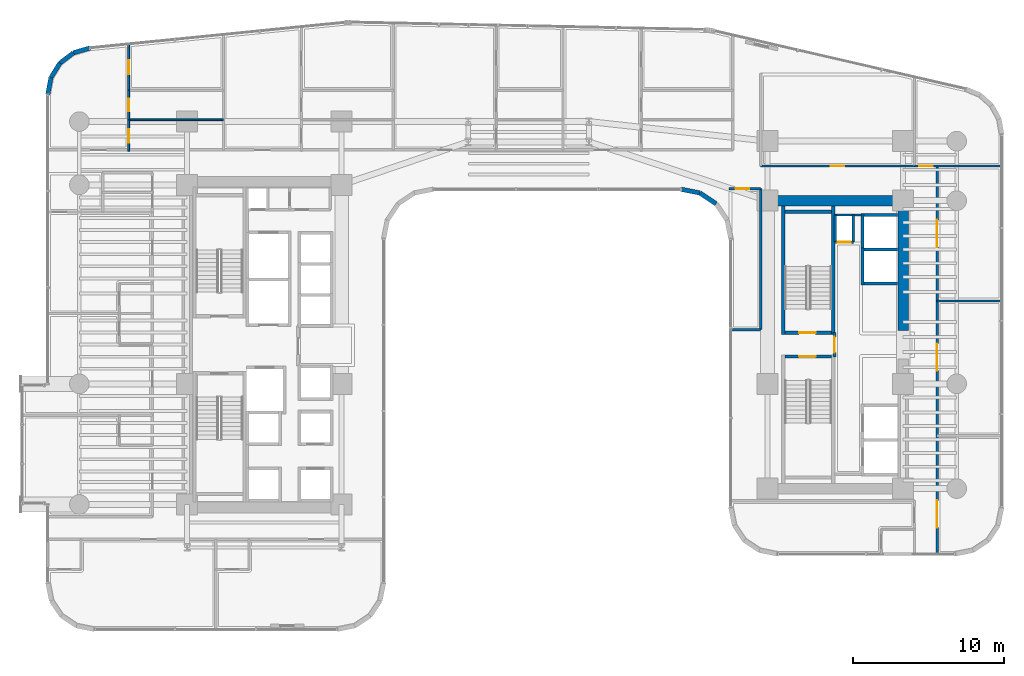
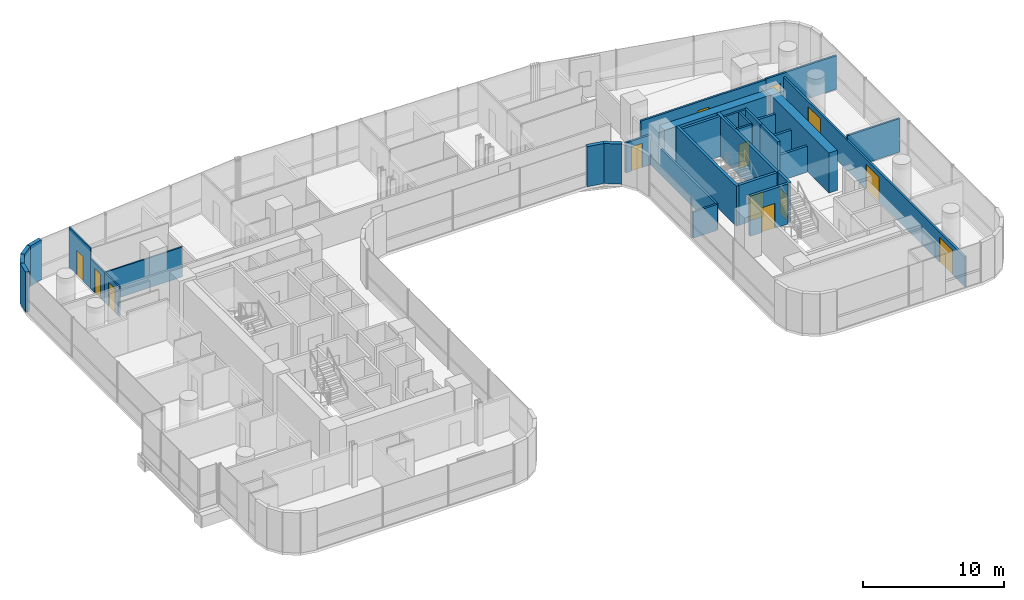
# One storey, part 33 of 41: 34 walls, 13 doors, 13 openings.
"""IFC4 building model written with IfcOpenShell, lengths in metres."""

from ifc_helpers import new_model, si_unit, direction, frame, frame_2d, origin, place, context, subcontext, project, spatial, rectangle, extrude, material, layer, layer_set, type_object, element, fill, save


model = new_model("IFC4")

# Units and contexts
model_context = context("Model", 3, precision=1e-05, world=origin(), true_north=direction((0.0, 1.0)))
body_context = subcontext(model_context, "Body", "Model", "MODEL_VIEW")
ifc_project = project(units=[si_unit("LENGTHUNIT", "METRE"), si_unit("AREAUNIT", "SQUARE_METRE"), si_unit("VOLUMEUNIT", "CUBIC_METRE"), si_unit("PLANEANGLEUNIT", "RADIAN"), si_unit("MASSUNIT", "GRAM", prefix="KILO")], contexts=[model_context])

# Site, building, storey
site_placement = place(None, origin())
site = spatial("IfcSite", under=ifc_project, at=site_placement, CompositionType="ELEMENT")
building_placement = place(site_placement, origin())
building = spatial("IfcBuilding", under=site, at=building_placement, Name="Valdorenza Pilgrim Sanctuary Tower", CompositionType="ELEMENT")
storey_placement = place(building_placement, frame((0.0, 0.0, 59.300048828125)))
storey = spatial("IfcBuildingStorey", under=building, at=storey_placement, Name="L14", CompositionType="ELEMENT", Elevation=59.300048828125)

# Wall, opening, door
ifc_material_1 = material(Name="Acoustic twin-stud gypsum partition", Category="gypsum")
ifc_layer_1 = layer(ifc_material_1, 0.159912109375, Name="Acoustic twin-stud gypsum partition")
ifc_layer_set_1 = layer_set([ifc_layer_1], Name="Acoustic twin-stud gypsum partition")
wall_type_1 = type_object("IfcWallType", Name="WAL-COR-160", PredefinedType="PARTITIONING", material=ifc_layer_set_1)
wall_1_placement = place(storey_placement, frame((20.35009765625, 6.800048828125, 0.0), z_axis=(0.0, 0.0, 1.0), x_axis=(1.0, 0.0, 0.0)))
wall_1 = element("IfcWall", 1, at=wall_1_placement, inside=storey, type_object=wall_type_1, Name="L14 Core B Riser South Wall", PredefinedType="PARTITIONING", context=body_context, shape_type="SweptSolid", body=[
    extrude(rectangle(XDim=1.199951171875, YDim=0.159912109375, at=frame_2d((0.60009765625, 0.0))), origin(), (0.0, 0.0, 1.0), 3.4599609375),
])
opening_1_placement = place(wall_1_placement, frame((0.175048828125, 0.0, 0.0)))
opening_1 = element("IfcOpeningElement", 2, at=opening_1_placement, cuts=wall_1, Name="Opening DR-RS1", PredefinedType="OPENING", context=body_context, shape_type="SweptSolid", body=[
    extrude(rectangle(XDim=0.85009765625, YDim=2.050048828125, at=frame_2d((0.425048828125, 1.02490234375))), frame((0.0, 0.0947265625, 0.0), z_axis=(0.0, -1.0, 0.0), x_axis=(1.0, 0.0, 0.0)), (0.0, 0.0, 1.0), 0.189697265625),
])
ifc_material_2 = material(Name="Painted galvanized steel", Category="steel")
door_type_1 = type_object("IfcDoorType", Name="DR-RSR-850", OperationType="NOTDEFINED", PredefinedType="DOOR", material=ifc_material_2)
door_1_placement = place(opening_1_placement, origin())
door_1 = element("IfcDoor", 3, at=door_1_placement, inside=storey, type_object=door_type_1, Name="L14 Core B Electrical Riser Door", OperationType="SINGLE_SWING_LEFT", OverallHeight=2.050048828125, OverallWidth=0.85009765625, PredefinedType="DOOR", context=body_context, shape_type="SweptSolid", body=[
    extrude(rectangle(XDim=0.85009765625, YDim=2.050048828125, at=frame_2d((0.425048828125, 1.02490234375))), frame((0.0, 0.02490234375, 0.0), z_axis=(0.0, -1.0, 0.0), x_axis=(1.0, 0.0, 0.0)), (0.0, 0.0, 1.0), 0.050048828125),
])
fill(opening_1, door_1)

# Walls
for number, where, z_axis, x_axis, name in (
    (4, (21.550048828125, 6.800048828125, 0.0), (0.0, 0.0, 1.0), (0.0, 1.0, 0.0), "L14 Core B Riser East Wall"),
    (5, (20.35009765625, 6.800048828125, 0.0), (0.0, 0.0, 1.0), (0.0, 1.0, 0.0), "L14 Core B Riser West Wall"),
):
    element("IfcWall", number, at=place(storey_placement, frame(where, z_axis=z_axis, x_axis=x_axis)), inside=storey, type_object=wall_type_1, Name=name, PredefinedType="PARTITIONING", context=body_context, shape_type="SweptSolid", body=[
        extrude(rectangle(XDim=1.800048828125, YDim=0.159912109375, at=frame_2d((0.89990234375, 0.0))), origin(), (0.0, 0.0, 1.0), 3.4599609375),
    ])
wall_2_placement = place(storey_placement, frame((20.300048828125, 8.60009765625, 0.0), z_axis=(0.0, 0.0, 1.0), x_axis=(1.0, 0.0, 0.0)))
element("IfcWall", 6, at=wall_2_placement, inside=storey, type_object=wall_type_1, Name="L14 Core B Lift Hall North End Wall", PredefinedType="PARTITIONING", context=body_context, shape_type="SweptSolid", body=[
    extrude(rectangle(XDim=1.820068359375, YDim=0.159912109375, at=frame_2d((0.91015625, 0.0))), origin(), (0.0, 0.0, 1.0), 3.4599609375),
])

# Wall, opening, door
wall_3_placement = place(storey_placement, frame((15.39990234375, 11.85009765625, 0.0), z_axis=(0.0, 0.0, 1.0), x_axis=(1.0, 0.0, 0.0)))
wall_3 = element("IfcWall", 7, at=wall_3_placement, inside=storey, type_object=wall_type_1, Name="L14 Wing B North Corridor Wall", PredefinedType="PARTITIONING", context=body_context, shape_type="SweptSolid", body=[
    extrude(rectangle(XDim=10.2001953125, YDim=0.159912109375, at=frame_2d((5.10009765625, 0.0))), origin(), (0.0, 0.0, 1.0), 2.833984375),
])
opening_2_placement = place(wall_3_placement, frame((4.64990234375, 0.0, 0.0)))
opening_2 = element("IfcOpeningElement", 8, at=opening_2_placement, cuts=wall_3, Name="Opening DR-RM1", PredefinedType="OPENING", context=body_context, shape_type="SweptSolid", body=[
    extrude(rectangle(XDim=0.89990234375, YDim=2.10009765625, at=frame_2d((0.449951171875, 1.050048828125))), frame((0.0, 0.0947265625, 0.0), z_axis=(0.0, -1.0, 0.0), x_axis=(1.0, 0.0, 0.0)), (0.0, 0.0, 1.0), 0.189697265625),
])
ifc_material_3 = material(Name="Solid-core European oak timber", Category="wood")
door_type_2 = type_object("IfcDoorType", Name="DR-ROOM-900", OperationType="NOTDEFINED", PredefinedType="DOOR", material=ifc_material_3)
door_2_placement = place(opening_2_placement, frame((0.89990234375, 0.0, 0.0), z_axis=(0.0, 0.0, 1.0), x_axis=(-1.0, 0.0, 0.0)))
door_2 = element("IfcDoor", 9, at=door_2_placement, inside=storey, type_object=door_type_2, Name="L14 Curator Research Office L14-BN1 Door", OperationType="SINGLE_SWING_LEFT", OverallHeight=2.10009765625, OverallWidth=0.89990234375, PredefinedType="DOOR", context=body_context, shape_type="SweptSolid", body=[
    extrude(rectangle(XDim=0.89990234375, YDim=2.10009765625, at=frame_2d((0.449951171875, 1.050048828125))), frame((0.0, 0.02490234375, 0.0), z_axis=(0.0, -1.0, 0.0), x_axis=(1.0, 0.0, 0.0)), (0.0, 0.0, 1.0), 0.050048828125),
])
fill(opening_2, door_2)

# Wall, openings, doors
wall_4_placement = place(storey_placement, frame((27.10009765625, -13.889892578125, 0.0), z_axis=(0.0, 0.0, 1.0), x_axis=(0.0, 1.0, 0.0)))
wall_4 = element("IfcWall", 10, at=wall_4_placement, inside=storey, type_object=wall_type_1, Name="L14 Wing B East Corridor Wall", PredefinedType="PARTITIONING", context=body_context, shape_type="SweptSolid", body=[
    extrude(rectangle(XDim=25.739990234375, YDim=0.159912109375, at=frame_2d((12.8701171875, 0.0))), origin(), (0.0, 0.0, 1.0), 2.5830078125),
])
opening_3_placement = place(wall_4_placement, frame((1.760009765625, 0.0, 0.0)))
opening_3 = element("IfcOpeningElement", 11, at=opening_3_placement, cuts=wall_4, Name="Opening DR-HL1", PredefinedType="OPENING", context=body_context, shape_type="SweptSolid", body=[
    extrude(rectangle(XDim=1.800048828125, YDim=2.14990234375, at=frame_2d((0.89990234375, 1.074951171875))), frame((0.0, 0.0947265625, 0.0), z_axis=(0.0, -1.0, 0.0), x_axis=(1.0, 0.0, 0.0)), (0.0, 0.0, 1.0), 0.189697265625),
])
opening_4_placement = place(wall_4_placement, frame((12.159912109375, 0.0, 0.0)))
opening_4 = element("IfcOpeningElement", 12, at=opening_4_placement, cuts=wall_4, Name="Opening DR-HL1", PredefinedType="OPENING", context=body_context, shape_type="SweptSolid", body=[
    extrude(rectangle(XDim=1.800048828125, YDim=2.14990234375, at=frame_2d((0.89990234375, 1.074951171875))), frame((0.0, 0.0947265625, 0.0), z_axis=(0.0, -1.0, 0.0), x_axis=(1.0, 0.0, 0.0)), (0.0, 0.0, 1.0), 0.189697265625),
])
opening_5_placement = place(wall_4_placement, frame((20.364990234375, 0.0, 0.0)))
opening_5 = element("IfcOpeningElement", 13, at=opening_5_placement, cuts=wall_4, Name="Opening DR-HL1", PredefinedType="OPENING", context=body_context, shape_type="SweptSolid", body=[
    extrude(rectangle(XDim=1.800048828125, YDim=2.14990234375, at=frame_2d((0.89990234375, 1.074951171875))), frame((0.0, 0.0947265625, 0.0), z_axis=(0.0, -1.0, 0.0), x_axis=(1.0, 0.0, 0.0)), (0.0, 0.0, 1.0), 0.189697265625),
])
ifc_material_4 = material(Name="Acoustic oak and vision-glass double door", Category="glass")
door_type_3 = type_object("IfcDoorType", Name="DR-HALL-1800", OperationType="NOTDEFINED", PredefinedType="DOOR", material=ifc_material_4)
door_3_placement = place(opening_3_placement, frame((1.800048828125, 0.0, 0.0), z_axis=(0.0, 0.0, 1.0), x_axis=(-1.0, 0.0, 0.0)))
door_3 = element("IfcDoor", 14, at=door_3_placement, inside=storey, type_object=door_type_3, Name="L14 East Reading Lounge L14-EB1 Door", OperationType="DOUBLE_DOOR_SINGLE_SWING", OverallHeight=2.14990234375, OverallWidth=1.800048828125, PredefinedType="DOOR", context=body_context, shape_type="SweptSolid", body=[
    extrude(rectangle(XDim=1.800048828125, YDim=2.14990234375, at=frame_2d((0.89990234375, 1.074951171875))), frame((0.0, 0.02490234375, 0.0), z_axis=(0.0, -1.0, 0.0), x_axis=(1.0, 0.0, 0.0)), (0.0, 0.0, 1.0), 0.050048828125),
])
fill(opening_3, door_3)
door_4_placement = place(opening_4_placement, origin())
door_4 = element("IfcDoor", 15, at=door_4_placement, inside=storey, type_object=door_type_3, Name="L14 East Reading Lounge L14-EB2 Door", OperationType="DOUBLE_DOOR_SINGLE_SWING", OverallHeight=2.14990234375, OverallWidth=1.800048828125, PredefinedType="DOOR", context=body_context, shape_type="SweptSolid", body=[
    extrude(rectangle(XDim=1.800048828125, YDim=2.14990234375, at=frame_2d((0.89990234375, 1.074951171875))), frame((0.0, 0.02490234375, 0.0), z_axis=(0.0, -1.0, 0.0), x_axis=(1.0, 0.0, 0.0)), (0.0, 0.0, 1.0), 0.050048828125),
])
fill(opening_4, door_4)
door_5_placement = place(opening_5_placement, frame((1.800048828125, 0.0, 0.0), z_axis=(0.0, 0.0, 1.0), x_axis=(-1.0, 0.0, 0.0)))
door_5 = element("IfcDoor", 16, at=door_5_placement, inside=storey, type_object=door_type_3, Name="L14 East Reading Lounge L14-EB3 Door", OperationType="DOUBLE_DOOR_SINGLE_SWING", OverallHeight=2.14990234375, OverallWidth=1.800048828125, PredefinedType="DOOR", context=body_context, shape_type="SweptSolid", body=[
    extrude(rectangle(XDim=1.800048828125, YDim=2.14990234375, at=frame_2d((0.89990234375, 1.074951171875))), frame((0.0, 0.02490234375, 0.0), z_axis=(0.0, -1.0, 0.0), x_axis=(1.0, 0.0, 0.0)), (0.0, 0.0, 1.0), 0.050048828125),
])
fill(opening_5, door_5)

# Wall, opening, door
wall_5_placement = place(storey_placement, frame((25.60009765625, 11.85009765625, 0.0), z_axis=(0.0, 0.0, 1.0), x_axis=(1.0, 0.0, 0.0)))
wall_5 = element("IfcWall", 17, at=wall_5_placement, inside=storey, type_object=wall_type_1, Name="L14 East Wing NE Corner South Wall", PredefinedType="PARTITIONING", context=body_context, shape_type="SweptSolid", body=[
    extrude(rectangle(XDim=5.789794921875, YDim=0.159912109375, at=frame_2d((2.89501953125, 0.0))), origin(), (0.0, 0.0, 1.0), 2.89599609375),
])
opening_6_placement = place(wall_5_placement, frame((0.300048828125, 0.0, 0.0)))
opening_6 = element("IfcOpeningElement", 18, at=opening_6_placement, cuts=wall_5, Name="Opening DR-RM1", PredefinedType="OPENING", context=body_context, shape_type="SweptSolid", body=[
    extrude(rectangle(XDim=0.89990234375, YDim=2.10009765625, at=frame_2d((0.449951171875, 1.050048828125))), frame((0.0, 0.0947265625, 0.0), z_axis=(0.0, -1.0, 0.0), x_axis=(1.0, 0.0, 0.0)), (0.0, 0.0, 1.0), 0.189697265625),
])
door_6_placement = place(opening_6_placement, origin())
door_6 = element("IfcDoor", 19, at=door_6_placement, inside=storey, type_object=door_type_2, Name="L14 East North Alcove Office L14 Door", OperationType="SINGLE_SWING_RIGHT", OverallHeight=2.10009765625, OverallWidth=0.89990234375, PredefinedType="DOOR", context=body_context, shape_type="SweptSolid", body=[
    extrude(rectangle(XDim=0.89990234375, YDim=2.10009765625, at=frame_2d((0.449951171875, 1.050048828125))), frame((0.0, 0.02490234375, 0.0), z_axis=(0.0, -1.0, 0.0), x_axis=(1.0, 0.0, 0.0)), (0.0, 0.0, 1.0), 0.050048828125),
])
fill(opening_6, door_6)

wall_6_placement = place(storey_placement, frame((13.300048828125, 10.35009765625, 0.0), z_axis=(0.0, 0.0, 1.0), x_axis=(1.0, 0.0, 0.0)))
wall_6 = element("IfcWall", 20, at=wall_6_placement, inside=storey, type_object=wall_type_1, Name="L14 Courtyard Overlook North Wall", PredefinedType="PARTITIONING", context=body_context, shape_type="SweptSolid", body=[
    extrude(rectangle(XDim=2.099853515625, YDim=0.159912109375, at=frame_2d((1.0498046875, 0.0))), origin(), (0.0, 0.0, 1.0), 2.5830078125),
])
opening_7_placement = place(wall_6_placement, frame((0.449951171875, 0.0, 0.0)))
opening_7 = element("IfcOpeningElement", 21, at=opening_7_placement, cuts=wall_6, Name="Opening DR-RM1", PredefinedType="OPENING", context=body_context, shape_type="SweptSolid", body=[
    extrude(rectangle(XDim=0.89990234375, YDim=2.10009765625, at=frame_2d((0.449951171875, 1.050048828125))), frame((0.0, 0.0947265625, 0.0), z_axis=(0.0, -1.0, 0.0), x_axis=(1.0, 0.0, 0.0)), (0.0, 0.0, 1.0), 0.189697265625),
])
door_7_placement = place(opening_7_placement, origin())
door_7 = element("IfcDoor", 22, at=door_7_placement, inside=storey, type_object=door_type_2, Name="L14 Courtyard Overlook Salon Door", OperationType="SINGLE_SWING_RIGHT", OverallHeight=2.10009765625, OverallWidth=0.89990234375, PredefinedType="DOOR", context=body_context, shape_type="SweptSolid", body=[
    extrude(rectangle(XDim=0.89990234375, YDim=2.10009765625, at=frame_2d((0.449951171875, 1.050048828125))), frame((0.0, 0.02490234375, 0.0), z_axis=(0.0, -1.0, 0.0), x_axis=(1.0, 0.0, 0.0)), (0.0, 0.0, 1.0), 0.050048828125),
])
fill(opening_7, door_7)

# Walls
wall_7_placement = place(storey_placement, frame((15.39990234375, 1.0, 0.0), z_axis=(0.0, 0.0, 1.0), x_axis=(0.0, 1.0, 0.0)))
element("IfcWall", 23, at=wall_7_placement, inside=storey, type_object=wall_type_1, Name="L14 Courtyard Overlook East Wall", PredefinedType="PARTITIONING", context=body_context, shape_type="SweptSolid", body=[
    extrude(rectangle(XDim=9.35009765625, YDim=0.159912109375, at=frame_2d((4.675048828125, 0.0))), origin(), (0.0, 0.0, 1.0), 2.244873046875),
])
wall_8_placement = place(storey_placement, frame((13.409912109375, 1.0, 0.0), z_axis=(0.0, 0.0, 1.0), x_axis=(1.0, 0.0, 0.0)))
element("IfcWall", 24, at=wall_8_placement, inside=storey, type_object=wall_type_1, Name="L14 Courtyard Overlook South Wall", PredefinedType="PARTITIONING", context=body_context, shape_type="SweptSolid", body=[
    extrude(rectangle(XDim=1.989990234375, YDim=0.159912109375, at=frame_2d((0.9951171875, 0.0))), origin(), (0.0, 0.0, 1.0), 2.244873046875),
])
ifc_material_5 = material(Name="Concrete C60/75", Category="concrete")
ifc_layer_2 = layer(ifc_material_5, 0.699951171875, Name="Concrete C60/75")
ifc_layer_set_2 = layer_set([ifc_layer_2], Name="Concrete C60/75")
wall_type_2 = type_object("IfcWallType", Name="WAL-COR-700", PredefinedType="SHEAR", material=ifc_layer_set_2)
wall_9_placement = place(storey_placement, frame((24.85009765625, 0.949951171875, 0.0), z_axis=(0.0, 0.0, 1.0), x_axis=(0.0, 1.0, 0.0)))
element("IfcWall", 25, at=wall_9_placement, inside=storey, type_object=wall_type_2, Name="L14 Split Core B Shear Wall EN", PredefinedType="SHEAR", context=body_context, shape_type="SweptSolid", body=[
    extrude(rectangle(XDim=8.949951171875, YDim=0.699951171875, at=frame_2d((4.47509765625, 0.0))), origin(), (0.0, 0.0, 1.0), 3.4599609375),
])
wall_10_placement = place(storey_placement, frame((15.85009765625, 9.550048828125, 0.0), z_axis=(0.0, 0.0, 1.0), x_axis=(1.0, 0.0, 0.0)))
element("IfcWall", 26, at=wall_10_placement, inside=storey, type_object=wall_type_2, Name="L14 Split Core B Shear Wall N", PredefinedType="SHEAR", context=body_context, shape_type="SweptSolid", body=[
    extrude(rectangle(XDim=9.0, YDim=0.699951171875, at=frame_2d((4.5, 0.0))), origin(), (0.0, 0.0, 1.0), 3.4599609375),
])
ifc_material_6 = material(Name="Honed travertine limestone", Category="masonry")
ifc_layer_3 = layer(ifc_material_6, 0.300048828125, Name="Honed travertine limestone")
ifc_layer_set_3 = layer_set([ifc_layer_3], Name="Honed travertine limestone")
wall_type_3 = type_object("IfcWallType", Name="WAL-EXT-300", PredefinedType="SOLIDWALL", material=ifc_layer_set_3)
wall_11_placement = place(storey_placement, frame((-31.889892578125, 16.593994140625, 0.0), z_axis=(0.0, 0.0, 1.0), x_axis=(0.182748995683, 0.9831596028, 0.0)))
element("IfcWall", 27, at=wall_11_placement, inside=storey, type_object=wall_type_3, Name="L14 Rounded Wind-Corner Stone Pier 2", PredefinedType="SOLIDWALL", context=body_context, shape_type="SweptSolid", body=[
    extrude(rectangle(XDim=1.1396484375, YDim=0.300048828125, at=frame_2d((0.56982421875, 0.0))), origin(), (0.0, 0.0, 1.0), 3.4599609375),
])
wall_12_placement = place(storey_placement, frame((-31.681640625, 17.71435546875, 0.0), z_axis=(0.0, 0.0, 1.0), x_axis=(0.524157723014, 0.8516212077, 0.0)))
element("IfcWall", 28, at=wall_12_placement, inside=storey, type_object=wall_type_3, Name="L14 Rounded Wind-Corner Stone Pier 3", PredefinedType="SOLIDWALL", context=body_context, shape_type="SweptSolid", body=[
    extrude(rectangle(XDim=1.12939453125, YDim=0.300048828125, at=frame_2d((0.564697265625, 0.0))), origin(), (0.0, 0.0, 1.0), 3.4599609375),
])
wall_13_placement = place(storey_placement, frame((-31.089599609375, 18.67626953125, 0.0), z_axis=(0.0, 0.0, 1.0), x_axis=(0.795253002434, 0.606277710393, 0.0)))
element("IfcWall", 29, at=wall_13_placement, inside=storey, type_object=wall_type_3, Name="L14 Rounded Wind-Corner Stone Pier 4", PredefinedType="SOLIDWALL", context=body_context, shape_type="SweptSolid", body=[
    extrude(rectangle(XDim=1.129150390625, YDim=0.300048828125, at=frame_2d((0.564453125, 0.0))), origin(), (0.0, 0.0, 1.0), 3.4599609375),
])
wall_14_placement = place(storey_placement, frame((-30.191650390625, 19.36083984375, 0.0), z_axis=(0.0, 0.0, 1.0), x_axis=(0.960071941549, 0.279753225271, 0.0)))
element("IfcWall", 30, at=wall_14_placement, inside=storey, type_object=wall_type_3, Name="L14 Rounded Wind-Corner Stone Pier 5", PredefinedType="SOLIDWALL", context=body_context, shape_type="SweptSolid", body=[
    extrude(rectangle(XDim=1.1396484375, YDim=0.300048828125, at=frame_2d((0.56982421875, 0.0))), origin(), (0.0, 0.0, 1.0), 3.4599609375),
])
wall_15_placement = place(storey_placement, frame((12.44189453125, 9.342041015625, 0.0), z_axis=(0.0, 0.0, 1.0), x_axis=(-0.831439431869, 0.555615398575, 0.0)))
element("IfcWall", 31, at=wall_15_placement, inside=storey, type_object=wall_type_3, Name="L14 Rounded Wind-Corner Stone Pier 34", PredefinedType="SOLIDWALL", context=body_context, shape_type="SweptSolid", body=[
    extrude(rectangle(XDim=1.292236328125, YDim=0.300048828125, at=frame_2d((0.64599609375, 0.0))), origin(), (0.0, 0.0, 1.0), 3.4599609375),
])
wall_16_placement = place(storey_placement, frame((11.367431640625, 10.06005859375, 0.0), z_axis=(0.0, 0.0, 1.0), x_axis=(-0.980778058848, 0.195126623715, 0.0)))
element("IfcWall", 32, at=wall_16_placement, inside=storey, type_object=wall_type_3, Name="L14 Rounded Wind-Corner Stone Pier 35", PredefinedType="SOLIDWALL", context=body_context, shape_type="SweptSolid", body=[
    extrude(rectangle(XDim=1.28125, YDim=0.300048828125, at=frame_2d((0.640625, 0.0))), origin(), (0.0, 0.0, 1.0), 3.4599609375),
])

# Wall, opening, door
ifc_material_7 = material(Name="Gypsum shaftwall partition", Category="gypsum")
ifc_layer_4 = layer(ifc_material_7, 0.199951171875, Name="Gypsum shaftwall partition")
ifc_layer_set_4 = layer_set([ifc_layer_4], Name="Gypsum shaftwall partition")
wall_type_4 = type_object("IfcWallType", Name="WAL-FFL-200", PredefinedType="PARTITIONING", material=ifc_layer_set_4)
wall_17_placement = place(storey_placement, frame((20.300048828125, -0.820068359375, 0.0), z_axis=(0.0, 0.0, 1.0), x_axis=(0.0, 1.0, 0.0)))
wall_17 = element("IfcWall", 33, at=wall_17_placement, inside=storey, type_object=wall_type_4, Name="L14 Core B Firefighting Lobby East Wall", PredefinedType="PARTITIONING", context=body_context, shape_type="SweptSolid", body=[
    extrude(rectangle(XDim=1.64013671875, YDim=0.199951171875, at=frame_2d((0.820068359375, 0.0))), origin(), (0.0, 0.0, 1.0), 3.4599609375),
])
opening_8_placement = place(wall_17_placement, frame((0.294921875, 0.0, 0.0)))
opening_8 = element("IfcOpeningElement", 34, at=opening_8_placement, cuts=wall_17, Name="Opening DR-FL1", PredefinedType="OPENING", context=body_context, shape_type="SweptSolid", body=[
    extrude(rectangle(XDim=1.050048828125, YDim=2.14990234375, at=frame_2d((0.52490234375, 1.074951171875))), frame((0.0, 0.11474609375, 0.0), z_axis=(0.0, -1.0, 0.0), x_axis=(1.0, 0.0, 0.0)), (0.0, 0.0, 1.0), 0.229736328125),
])
door_type_4 = type_object("IfcDoorType", Name="DR-FFL-1050", OperationType="NOTDEFINED", PredefinedType="DOOR", material=ifc_material_2)
door_8_placement = place(opening_8_placement, origin())
door_8 = element("IfcDoor", 35, at=door_8_placement, inside=storey, type_object=door_type_4, Name="L14 Core B Firefighting Lobby Door", OperationType="SINGLE_SWING_RIGHT", OverallHeight=2.14990234375, OverallWidth=1.050048828125, PredefinedType="DOOR", context=body_context, shape_type="SweptSolid", body=[
    extrude(rectangle(XDim=1.050048828125, YDim=2.14990234375, at=frame_2d((0.52490234375, 1.074951171875))), frame((0.0, 0.02490234375, 0.0), z_axis=(0.0, -1.0, 0.0), x_axis=(1.0, 0.0, 0.0)), (0.0, 0.0, 1.0), 0.050048828125),
])
fill(opening_8, door_8)

# Wall
ifc_material_8 = material(Name="Moisture-resistant gypsum partition", Category="gypsum")
ifc_layer_5 = layer(ifc_material_8, 0.1201171875, Name="Moisture-resistant gypsum partition")
ifc_layer_set_5 = layer_set([ifc_layer_5], Name="Moisture-resistant gypsum partition")
wall_type_5 = type_object("IfcWallType", Name="WAL-INT-120", PredefinedType="PARTITIONING", material=ifc_layer_set_5)
wall_18_placement = place(storey_placement, frame((-26.530029296875, 14.919921875, 0.0), z_axis=(0.0, 0.0, 1.0), x_axis=(1.0, 0.0, 0.0)))
element("IfcWall", 36, at=wall_18_placement, inside=storey, type_object=wall_type_5, Name="L14 North Sanctuary Apartment L14-N1 Bath-Kitchen Wall", PredefinedType="PARTITIONING", context=body_context, shape_type="SweptSolid", body=[
    extrude(rectangle(XDim=6.2919921875, YDim=0.1201171875, at=frame_2d((3.14599609375, 0.0))), origin(), (0.0, 0.0, 1.0), 2.5830078125),
])

# Wall, opening, door
wall_19_placement = place(storey_placement, frame((-26.530029296875, 14.919921875, 0.0), z_axis=(0.0, 0.0, 1.0), x_axis=(0.0, 1.0, 0.0)))
wall_19 = element("IfcWall", 37, at=wall_19_placement, inside=storey, type_object=wall_type_5, Name="L14 North Sanctuary Apartment L14-N1 Bathroom Door Wall", PredefinedType="PARTITIONING", context=body_context, shape_type="SweptSolid", body=[
    extrude(rectangle(XDim=1.9501953125, YDim=0.1201171875, at=frame_2d((0.97509765625, 0.0))), origin(), (0.0, 0.0, 1.0), 2.5830078125),
])
opening_9_placement = place(wall_19_placement, frame((0.550048828125, 0.0, 0.0)))
opening_9 = element("IfcOpeningElement", 38, at=opening_9_placement, cuts=wall_19, Name="Opening DR-WC1", PredefinedType="OPENING", context=body_context, shape_type="SweptSolid", body=[
    extrude(rectangle(XDim=0.85009765625, YDim=2.10009765625, at=frame_2d((0.425048828125, 1.050048828125))), frame((0.0, 0.074951171875, 0.0), z_axis=(0.0, -1.0, 0.0), x_axis=(1.0, 0.0, 0.0)), (0.0, 0.0, 1.0), 0.14990234375),
])
ifc_material_9 = material(Name="Moisture-resistant lacquered timber", Category="wood")
door_type_5 = type_object("IfcDoorType", Name="DR-BATH-850", OperationType="NOTDEFINED", PredefinedType="DOOR", material=ifc_material_9)
door_9_placement = place(opening_9_placement, origin())
door_9 = element("IfcDoor", 39, at=door_9_placement, inside=storey, type_object=door_type_5, Name="L14 North Sanctuary Apartment L14-N1 Bathroom Door", OperationType="SINGLE_SWING_RIGHT", OverallHeight=2.10009765625, OverallWidth=0.85009765625, PredefinedType="DOOR", context=body_context, shape_type="SweptSolid", body=[
    extrude(rectangle(XDim=0.85009765625, YDim=2.10009765625, at=frame_2d((0.425048828125, 1.050048828125))), frame((0.0, 0.02490234375, 0.0), z_axis=(0.0, -1.0, 0.0), x_axis=(1.0, 0.0, 0.0)), (0.0, 0.0, 1.0), 0.050048828125),
])
fill(opening_9, door_9)

wall_20_placement = place(storey_placement, frame((-26.530029296875, 12.840087890625, 0.0), z_axis=(0.0, 0.0, 1.0), x_axis=(0.0, 1.0, 0.0)))
wall_20 = element("IfcWall", 40, at=wall_20_placement, inside=storey, type_object=wall_type_5, Name="L14 North Sanctuary Apartment L14-N1 Kitchen Door Wall", PredefinedType="PARTITIONING", context=body_context, shape_type="SweptSolid", body=[
    extrude(rectangle(XDim=2.079833984375, YDim=0.1201171875, at=frame_2d((1.0400390625, 0.0))), origin(), (0.0, 0.0, 1.0), 2.5830078125),
])
opening_10_placement = place(wall_20_placement, frame((0.550048828125, 0.0, 0.0)))
opening_10 = element("IfcOpeningElement", 41, at=opening_10_placement, cuts=wall_20, Name="Opening DR-RM1", PredefinedType="OPENING", context=body_context, shape_type="SweptSolid", body=[
    extrude(rectangle(XDim=0.89990234375, YDim=2.10009765625, at=frame_2d((0.449951171875, 1.050048828125))), frame((0.0, 0.074951171875, 0.0), z_axis=(0.0, -1.0, 0.0), x_axis=(1.0, 0.0, 0.0)), (0.0, 0.0, 1.0), 0.14990234375),
])
door_10_placement = place(opening_10_placement, origin())
door_10 = element("IfcDoor", 42, at=door_10_placement, inside=storey, type_object=door_type_2, Name="L14 North Sanctuary Apartment L14-N1 Kitchen Door", OperationType="SINGLE_SWING_LEFT", OverallHeight=2.10009765625, OverallWidth=0.89990234375, PredefinedType="DOOR", context=body_context, shape_type="SweptSolid", body=[
    extrude(rectangle(XDim=0.89990234375, YDim=2.10009765625, at=frame_2d((0.449951171875, 1.050048828125))), frame((0.0, 0.02490234375, 0.0), z_axis=(0.0, -1.0, 0.0), x_axis=(1.0, 0.0, 0.0)), (0.0, 0.0, 1.0), 0.050048828125),
])
fill(opening_10, door_10)

wall_21_placement = place(storey_placement, frame((-26.530029296875, 16.8701171875, 0.0), z_axis=(0.0, 0.0, 1.0), x_axis=(0.0, 1.0, 0.0)))
wall_21 = element("IfcWall", 43, at=wall_21_placement, inside=storey, type_object=wall_type_5, Name="L14 North Sanctuary Apartment L14-N1 Bedroom Door Wall", PredefinedType="PARTITIONING", context=body_context, shape_type="SweptSolid", body=[
    extrude(rectangle(XDim=3.06640625, YDim=0.1201171875, at=frame_2d((1.533203125, 0.0))), origin(), (0.0, 0.0, 1.0), 3.4599609375),
])
opening_11_placement = place(wall_21_placement, frame((1.0830078125, 0.0, 0.0)))
opening_11 = element("IfcOpeningElement", 44, at=opening_11_placement, cuts=wall_21, Name="Opening DR-RM1", PredefinedType="OPENING", context=body_context, shape_type="SweptSolid", body=[
    extrude(rectangle(XDim=0.89990234375, YDim=2.10009765625, at=frame_2d((0.449951171875, 1.050048828125))), frame((0.0, 0.074951171875, 0.0), z_axis=(0.0, -1.0, 0.0), x_axis=(1.0, 0.0, 0.0)), (0.0, 0.0, 1.0), 0.14990234375),
])
door_11_placement = place(opening_11_placement, origin())
door_11 = element("IfcDoor", 45, at=door_11_placement, inside=storey, type_object=door_type_2, Name="L14 North Sanctuary Apartment L14-N1 Bedroom Door", OperationType="SINGLE_SWING_RIGHT", OverallHeight=2.10009765625, OverallWidth=0.89990234375, PredefinedType="DOOR", context=body_context, shape_type="SweptSolid", body=[
    extrude(rectangle(XDim=0.89990234375, YDim=2.10009765625, at=frame_2d((0.449951171875, 1.050048828125))), frame((0.0, 0.02490234375, 0.0), z_axis=(0.0, -1.0, 0.0), x_axis=(1.0, 0.0, 0.0)), (0.0, 0.0, 1.0), 0.050048828125),
])
fill(opening_11, door_11)

# Walls
ifc_material_10 = material(Name="Autoclaved aerated concrete blockwork", Category="masonry")
ifc_layer_6 = layer(ifc_material_10, 0.199951171875, Name="Autoclaved aerated concrete blockwork")
ifc_layer_set_6 = layer_set([ifc_layer_6], Name="Autoclaved aerated concrete blockwork")
wall_type_6 = type_object("IfcWallType", Name="WAL-SHF-200", PredefinedType="MOVABLE", material=ifc_layer_set_6)
wall_22_placement = place(storey_placement, frame((22.14990234375, 3.949951171875, 0.0), z_axis=(0.0, 0.0, 1.0), x_axis=(0.0, 1.0, 0.0)))
element("IfcWall", 46, at=wall_22_placement, inside=storey, type_object=wall_type_6, Name="L14 Lift PL-07 Hoistway Wall West", PredefinedType="MOVABLE", context=body_context, shape_type="SweptSolid", body=[
    extrude(rectangle(XDim=2.47509765625, YDim=0.199951171875, at=frame_2d((1.237548828125, 0.0))), origin(), (0.0, 0.0, 1.0), 3.4599609375),
])
for number, where, z_axis, x_axis, name in (
    (47, (22.25, 4.050048828125, 0.0), (0.0, 0.0, 1.0), (1.0, 0.0, 0.0), "L14 Lift PL-07 Hoistway Wall South"),
    (48, (22.25, 6.324951171875, 0.0), (0.0, 0.0, 1.0), (1.0, 0.0, 0.0), "L14 Lift PL-07 Hoistway Wall North"),
):
    element("IfcWall", number, at=place(storey_placement, frame(where, z_axis=z_axis, x_axis=x_axis)), inside=storey, type_object=wall_type_6, Name=name, PredefinedType="MOVABLE", context=body_context, shape_type="SweptSolid", body=[
        extrude(rectangle(XDim=2.22998046875, YDim=0.199951171875, at=frame_2d((1.114990234375, 0.0))), origin(), (0.0, 0.0, 1.0), 2.244873046875),
    ])
wall_23_placement = place(storey_placement, frame((22.14990234375, 6.22509765625, 0.0), z_axis=(0.0, 0.0, 1.0), x_axis=(0.0, 1.0, 0.0)))
element("IfcWall", 49, at=wall_23_placement, inside=storey, type_object=wall_type_6, Name="L14 Lift PL-08 Hoistway Wall West", PredefinedType="MOVABLE", context=body_context, shape_type="SweptSolid", body=[
    extrude(rectangle(XDim=2.474853515625, YDim=0.199951171875, at=frame_2d((1.2373046875, 0.0))), origin(), (0.0, 0.0, 1.0), 3.4599609375),
])
wall_24_placement = place(storey_placement, frame((22.25, 8.60009765625, 0.0), z_axis=(0.0, 0.0, 1.0), x_axis=(1.0, 0.0, 0.0)))
element("IfcWall", 50, at=wall_24_placement, inside=storey, type_object=wall_type_6, Name="L14 Lift PL-08 Hoistway Wall North", PredefinedType="MOVABLE", context=body_context, shape_type="SweptSolid", body=[
    extrude(rectangle(XDim=2.22998046875, YDim=0.199951171875, at=frame_2d((1.114990234375, 0.0))), origin(), (0.0, 0.0, 1.0), 2.244873046875),
])
ifc_material_11 = material(Name="Concrete C40/50", Category="concrete")
ifc_layer_7 = layer(ifc_material_11, 0.219970703125, Name="Concrete C40/50")
ifc_layer_set_7 = layer_set([ifc_layer_7], Name="Concrete C40/50")
wall_type_7 = type_object("IfcWallType", Name="WAL-STR-SHF-220", PredefinedType="SHEAR", material=ifc_layer_set_7)
for number, where, z_axis, x_axis, name in (
    (51, (16.889892578125, 0.679931640625, 0.0), (0.0, 0.0, 1.0), (0.0, 1.0, 0.0), "L14 ST-B1 Structural Stairwell Wall W"),
    (52, (20.219970703125, 0.679931640625, 0.0), (0.0, 0.0, 1.0), (0.0, 1.0, 0.0), "L14 ST-B1 Structural Stairwell Wall E"),
):
    element("IfcWall", number, at=place(storey_placement, frame(where, z_axis=z_axis, x_axis=x_axis)), inside=storey, type_object=wall_type_7, Name=name, PredefinedType="SHEAR", context=body_context, shape_type="SweptSolid", body=[
        extrude(rectangle(XDim=8.52001953125, YDim=0.219970703125, at=frame_2d((4.260009765625, 0.0))), origin(), (0.0, 0.0, 1.0), 3.4599609375),
    ])

# Wall, opening, door
wall_25_placement = place(storey_placement, frame((17.0, 0.7900390625, 0.0), z_axis=(0.0, 0.0, 1.0), x_axis=(1.0, 0.0, 0.0)))
wall_25 = element("IfcWall", 53, at=wall_25_placement, inside=storey, type_object=wall_type_7, Name="L14 ST-B1 Structural Stairwell Wall S", PredefinedType="SHEAR", context=body_context, shape_type="SweptSolid", body=[
    extrude(rectangle(XDim=3.110107421875, YDim=0.219970703125, at=frame_2d((1.55517578125, 0.0))), origin(), (0.0, 0.0, 1.0), 3.4599609375),
])
opening_12_placement = place(wall_25_placement, frame((0.949951171875, 0.0, 0.0)))
opening_12 = element("IfcOpeningElement", 54, at=opening_12_placement, cuts=wall_25, Name="Opening DR-ST1", PredefinedType="OPENING", context=body_context, shape_type="SweptSolid", body=[
    extrude(rectangle(XDim=1.10009765625, YDim=2.14990234375, at=frame_2d((0.550048828125, 1.074951171875))), frame((0.0, 0.125, 0.0), z_axis=(0.0, -1.0, 0.0), x_axis=(1.0, 0.0, 0.0)), (0.0, 0.0, 1.0), 0.249755859375),
])
door_type_6 = type_object("IfcDoorType", Name="DR-STAIR-1100", OperationType="NOTDEFINED", PredefinedType="DOOR", material=ifc_material_2)
door_12_placement = place(opening_12_placement, frame((1.10009765625, 0.0, 0.0), z_axis=(0.0, 0.0, 1.0), x_axis=(-1.0, 0.0, 0.0)))
door_12 = element("IfcDoor", 55, at=door_12_placement, inside=storey, type_object=door_type_6, Name="L14 Exit Stair ST-B1 Door", OperationType="SINGLE_SWING_LEFT", OverallHeight=2.14990234375, OverallWidth=1.10009765625, PredefinedType="DOOR", context=body_context, shape_type="SweptSolid", body=[
    extrude(rectangle(XDim=1.10009765625, YDim=2.14990234375, at=frame_2d((0.550048828125, 1.074951171875))), frame((0.0, 0.02490234375, 0.0), z_axis=(0.0, -1.0, 0.0), x_axis=(1.0, 0.0, 0.0)), (0.0, 0.0, 1.0), 0.050048828125),
])
fill(opening_12, door_12)

# Wall
wall_26_placement = place(storey_placement, frame((17.0, 8.81005859375, 0.0), z_axis=(0.0, 0.0, 1.0), x_axis=(1.0, 0.0, 0.0)))
element("IfcWall", 56, at=wall_26_placement, inside=storey, type_object=wall_type_7, Name="L14 ST-B1 Structural Stairwell Wall N", PredefinedType="SHEAR", context=body_context, shape_type="SweptSolid", body=[
    extrude(rectangle(XDim=3.110107421875, YDim=0.219970703125, at=frame_2d((1.55517578125, 0.0))), origin(), (0.0, 0.0, 1.0), 3.4599609375),
])

# Wall, opening, door
wall_27_placement = place(storey_placement, frame((17.0, -0.7900390625, 0.0), z_axis=(0.0, 0.0, 1.0), x_axis=(1.0, 0.0, 0.0)))
wall_27 = element("IfcWall", 57, at=wall_27_placement, inside=storey, type_object=wall_type_7, Name="L14 ST-B2 Structural Stairwell Wall N", PredefinedType="SHEAR", context=body_context, shape_type="SweptSolid", body=[
    extrude(rectangle(XDim=3.110107421875, YDim=0.219970703125, at=frame_2d((1.55517578125, 0.0))), origin(), (0.0, 0.0, 1.0), 3.4599609375),
])
opening_13_placement = place(wall_27_placement, frame((0.949951171875, 0.0, 0.0)))
opening_13 = element("IfcOpeningElement", 58, at=opening_13_placement, cuts=wall_27, Name="Opening DR-ST1", PredefinedType="OPENING", context=body_context, shape_type="SweptSolid", body=[
    extrude(rectangle(XDim=1.10009765625, YDim=2.14990234375, at=frame_2d((0.550048828125, 1.074951171875))), frame((0.0, 0.125, 0.0), z_axis=(0.0, -1.0, 0.0), x_axis=(1.0, 0.0, 0.0)), (0.0, 0.0, 1.0), 0.249755859375),
])
door_13_placement = place(opening_13_placement, origin())
door_13 = element("IfcDoor", 59, at=door_13_placement, inside=storey, type_object=door_type_6, Name="L14 Exit Stair ST-B2 Door", OperationType="SINGLE_SWING_RIGHT", OverallHeight=2.14990234375, OverallWidth=1.10009765625, PredefinedType="DOOR", context=body_context, shape_type="SweptSolid", body=[
    extrude(rectangle(XDim=1.10009765625, YDim=2.14990234375, at=frame_2d((0.550048828125, 1.074951171875))), frame((0.0, 0.02490234375, 0.0), z_axis=(0.0, -1.0, 0.0), x_axis=(1.0, 0.0, 0.0)), (0.0, 0.0, 1.0), 0.050048828125),
])
fill(opening_13, door_13)

# Wall
ifc_layer_8 = layer(ifc_material_1, 0.14990234375, Name="Acoustic twin-stud gypsum partition")
ifc_layer_set_8 = layer_set([ifc_layer_8], Name="Acoustic twin-stud gypsum partition")
wall_type_8 = type_object("IfcWallType", Name="WAL-UNT-150", PredefinedType="PARTITIONING", material=ifc_layer_set_8)
wall_28_placement = place(storey_placement, frame((27.10009765625, 2.89990234375, 0.0), z_axis=(0.0, 0.0, 1.0), x_axis=(1.0, 0.0, 0.0)))
element("IfcWall", 60, at=wall_28_placement, inside=storey, type_object=wall_type_8, Name="L14 East Reading Lounge L14-EB3 Demising Wall", PredefinedType="PARTITIONING", context=body_context, shape_type="SweptSolid", body=[
    extrude(rectangle(XDim=4.289794921875, YDim=0.14990234375, at=frame_2d((2.14501953125, 0.0))), origin(), (0.0, 0.0, 1.0), 2.89599609375),
])

save(model, "model.ifc")
